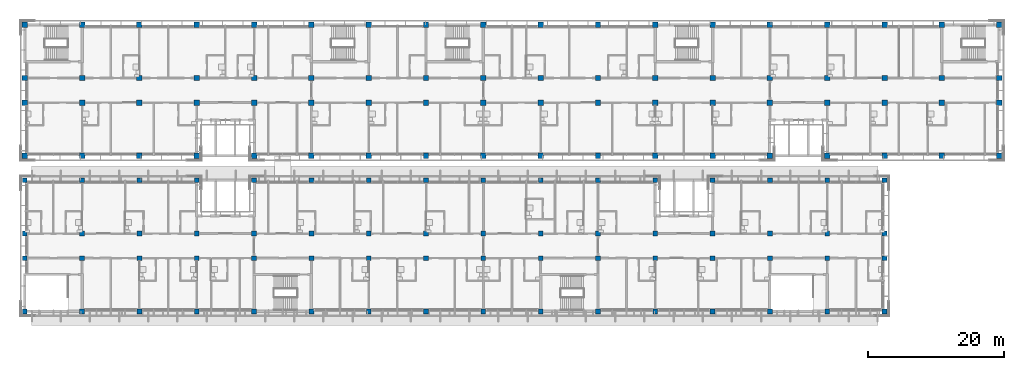
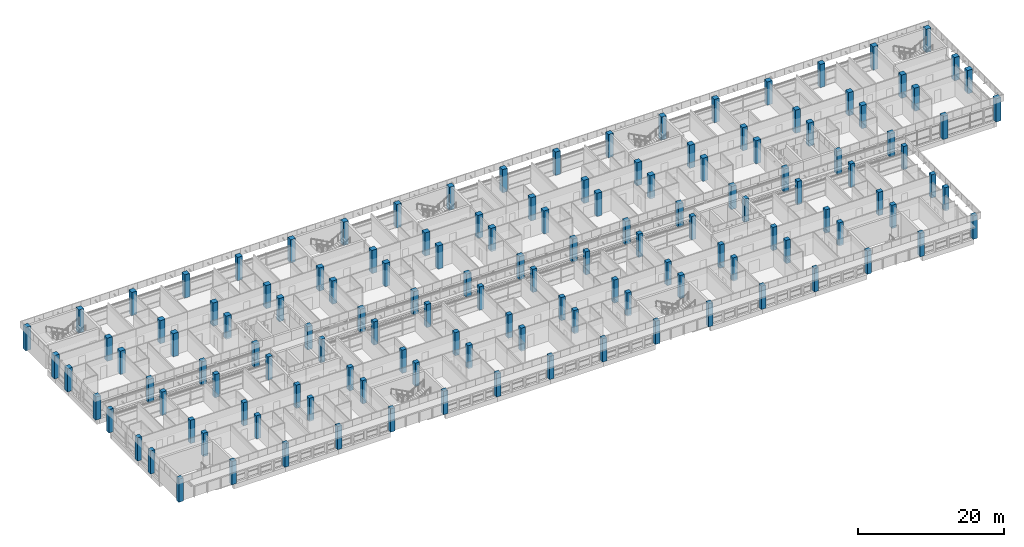
# One storey, part 1 of 71: 136 columns.
"""IFC4 building model written with IfcOpenShell, lengths in metres."""

import ifcopenshell
import ifcopenshell.guid

model = None  # the IFC model being written
_history = None  # IfcOwnerHistory: only IFC2X3 demands one
_inside = {}  # id of a spatial element -> (the spatial element, [elements in it])
_under = {}  # id of a project, library or spatial element -> (it, [spatial elements below it])
_declared = {}  # id of a project -> (the project, [libraries it declares])
_typed = {}  # id of a type object -> (the type object, [elements of that type])
_made_of = {}  # id of a material, layer set ... -> (it, [elements and type objects made of it])


def new_model(schema):
    """Start an empty IFC model of exactly this schema.

    Asked for "IFC4X3", IfcOpenShell would pick the latest addendum, in which some entities
    have other attributes; the version numbers below select the first issue.
    IFC2X3 requires an IfcOwnerHistory on every rooted entity: one is made here for all.
    """
    global model, _history
    if schema == "IFC4X3":
        model = ifcopenshell.file(schema_version=(4, 3, 0, 0))
    else:
        model = ifcopenshell.file(schema=schema)
    _inside.clear()
    _under.clear()
    _declared.clear()
    _typed.clear()
    _made_of.clear()
    _history = None
    if model.schema == "IFC2X3":
        org = make("IfcOrganization", Name="unknown")
        user = make(
            "IfcPersonAndOrganization",
            ThePerson=make("IfcPerson", FamilyName="unknown"),
            TheOrganization=org,
        )
        app = make(
            "IfcApplication",
            ApplicationDeveloper=org,
            Version="unknown",
            ApplicationFullName="unknown",
            ApplicationIdentifier="unknown",
        )
        _history = make(
            "IfcOwnerHistory",
            OwningUser=user,
            OwningApplication=app,
            ChangeAction="ADDED",
            CreationDate=0,
        )
    return model


def make(cls, **values):
    """One entity of the class cls with the attributes given. An attribute that is None is left unset."""
    return model.create_entity(
        cls, **{name: value for name, value in values.items() if value is not None}
    )


def rooted(cls, **values):
    """An entity with a GlobalId (a new one), such as an element, a storey or a relation."""
    return make(cls, GlobalId=ifcopenshell.guid.new(), OwnerHistory=_history, **values)


def si_unit(unit_type, name, prefix=None):
    """IfcSIUnit, for example si_unit("LENGTHUNIT", "METRE", prefix="MILLI")."""
    return make("IfcSIUnit", UnitType=unit_type, Prefix=prefix, Name=name)


def assignment(units):
    """IfcUnitAssignment: the units of a project."""
    return None if units is None else make("IfcUnitAssignment", Units=units)


def point(xyz):
    """IfcCartesianPoint."""
    return None if xyz is None else make("IfcCartesianPoint", Coordinates=xyz)


def direction(xyz):
    """IfcDirection."""
    return None if xyz is None else make("IfcDirection", DirectionRatios=xyz)


def frame(location, z_axis=None, x_axis=None):
    """IfcAxis2Placement3D, a coordinate frame: its origin and axes. An axis left out is left unset."""
    return make(
        "IfcAxis2Placement3D",
        Location=point(location),
        Axis=direction(z_axis),
        RefDirection=direction(x_axis),
    )


def frame_2d(location, x_axis=None):
    """IfcAxis2Placement2D, a coordinate frame in the plane: its origin and x axis."""
    return make(
        "IfcAxis2Placement2D", Location=point(location), RefDirection=direction(x_axis)
    )


def origin():
    """The frame at (0, 0, 0) with its axes left unset."""
    return frame((0.0, 0.0, 0.0))


def origin_2d():
    """The frame at (0, 0) in the plane with its x axis left unset."""
    return frame_2d((0.0, 0.0))


def place(relative_to, where):
    """IfcLocalPlacement: puts the frame where relative to a parent placement (None: the world)."""
    return make(
        "IfcLocalPlacement", PlacementRelTo=relative_to, RelativePlacement=where
    )


def context(
    kind, dimensions, precision=None, world=None, true_north=None, identifier=None
):
    """IfcGeometricRepresentationContext, for example the 3D "Model" context."""
    return make(
        "IfcGeometricRepresentationContext",
        ContextIdentifier=identifier,
        ContextType=kind,
        CoordinateSpaceDimension=dimensions,
        Precision=precision,
        WorldCoordinateSystem=world,
        TrueNorth=true_north,
    )


def subcontext(parent, identifier, kind, view, scale=None):
    """IfcGeometricRepresentationSubContext, for example "Body" below "Model"."""
    return make(
        "IfcGeometricRepresentationSubContext",
        ContextIdentifier=identifier,
        ContextType=kind,
        ParentContext=parent,
        TargetScale=scale,
        TargetView=view,
    )


def project(units=None, contexts=None):
    """IfcProject with its units and contexts."""
    return rooted(
        "IfcProject",
        Name="project",
        RepresentationContexts=contexts,
        UnitsInContext=assignment(units),
    )


def spatial(cls, under=None, at=None, **own):
    """A site, building, storey or space (cls), placed at a placement, below another one or the project."""
    s = rooted(cls, ObjectPlacement=at, **own)
    if under is not None:
        _under.setdefault(under.id(), (under, []))[1].append(s)
    return s


def profile(cls, at=None, kind="AREA", **sizes):
    """A parametric profile (cls). Its sizes go by their IFC names, for example OverallWidth=200.0."""
    return make(cls, ProfileType=kind, Position=at, **sizes)


def rectangle(**sizes):
    """IfcRectangleProfileDef."""
    return profile("IfcRectangleProfileDef", **sizes)


def extrude(swept, where, along, depth):
    """IfcExtrudedAreaSolid: the profile swept, set in the frame where, extruded along a direction by depth."""
    return make(
        "IfcExtrudedAreaSolid",
        SweptArea=swept,
        Position=where,
        ExtrudedDirection=direction(along),
        Depth=depth,
    )


def shape(context_of_items, identifier, shape_type, items):
    """IfcShapeRepresentation: the items that make up one representation, for example the "Body"."""
    return make(
        "IfcShapeRepresentation",
        ContextOfItems=context_of_items,
        RepresentationIdentifier=identifier,
        RepresentationType=shape_type,
        Items=items,
    )


def material(Name=None, Category=None):
    """IfcMaterial."""
    return make("IfcMaterial", Name=Name, Category=Category)


def material_profile(
    of_material, cross_section, Name=None, Category=None, Priority=None
):
    """IfcMaterialProfile: a cross section and its material."""
    return make(
        "IfcMaterialProfile",
        Name=Name,
        Material=of_material,
        Profile=cross_section,
        Priority=Priority,
        Category=Category,
    )


def profile_set(profiles, Name=None, composite=None):
    """IfcMaterialProfileSet."""
    return make(
        "IfcMaterialProfileSet",
        Name=Name,
        MaterialProfiles=profiles,
        CompositeProfile=composite,
    )


def made_of(thing, what):
    """Note that an element or type object is made of a material, layer set ...; save() writes the relation."""
    if what is not None:
        _made_of.setdefault(what.id(), (what, []))[1].append(thing)
    return thing


def type_object(cls, material=None, **own):
    """A type object (cls), such as IfcWallType, which elements share."""
    return made_of(rooted(cls, **own), material)


def element(
    cls,
    number,
    at=None,
    inside=None,
    cuts=None,
    type_object=None,
    material=None,
    context=None,
    identifier="Body",
    shape_type=None,
    held_by="IfcProductDefinitionShape",
    body=None,
    shapes=None,
    **own,
):
    """One element of the class cls, such as IfcWall. Its Tag is "e" and its number.

    at: its placement. inside: the storey or other place that contains it. cuts: it is an
    opening in that element (IfcRelVoidsElement). A single representation is given by context,
    identifier, shape_type and body (its items); several are given by shapes. held_by: the class
    of the entity that holds the representations. save() writes the other relations.
    """
    e = rooted(cls, Tag="e%d" % number, ObjectPlacement=at, **own)
    if body is not None:
        shapes = [shape(context, identifier, shape_type, body)]
    if shapes is not None:
        e.Representation = make(held_by, Representations=shapes)
    if inside is not None:
        _inside.setdefault(inside.id(), (inside, []))[1].append(e)
    if cuts is not None:
        rooted(
            "IfcRelVoidsElement", RelatingBuildingElement=cuts, RelatedOpeningElement=e
        )
    if type_object is not None:
        _typed.setdefault(type_object.id(), (type_object, []))[1].append(e)
    return made_of(e, material)


def aggregate(whole, parts):
    """IfcRelAggregates: a whole, such as a stair, and the parts it consists of."""
    return rooted("IfcRelAggregates", RelatingObject=whole, RelatedObjects=parts)


def save(model, path):
    """Write the relations noted so far, then the file.

    IfcRelAggregates (storeys below a building ...), IfcRelContainedInSpatialStructure (elements
    in a storey), IfcRelDefinesByType, IfcRelAssociatesMaterial and IfcRelDeclares: one each for
    every whole, place, type object, material and project.
    """
    for whole, parts in _under.values():
        aggregate(whole, parts)
    for where, things in _inside.values():
        rooted(
            "IfcRelContainedInSpatialStructure",
            RelatedElements=things,
            RelatingStructure=where,
        )
    for kind, things in _typed.values():
        rooted("IfcRelDefinesByType", RelatedObjects=things, RelatingType=kind)
    for what, things in _made_of.values():
        rooted("IfcRelAssociatesMaterial", RelatedObjects=things, RelatingMaterial=what)
    for by, libraries in _declared.values():
        rooted("IfcRelDeclares", RelatingContext=by, RelatedDefinitions=libraries)
    model.write(path)


model = new_model("IFC4")

# Units and contexts
model_context = context("Model", 3, precision=1e-05, world=origin(), true_north=direction((0.0, 1.0)))
body_context = subcontext(model_context, "Body", "Model", "MODEL_VIEW")
ifc_project = project(units=[si_unit("LENGTHUNIT", "METRE"), si_unit("AREAUNIT", "SQUARE_METRE"), si_unit("VOLUMEUNIT", "CUBIC_METRE"), si_unit("PLANEANGLEUNIT", "RADIAN"), si_unit("MASSUNIT", "GRAM", prefix="KILO")], contexts=[model_context])

# Site, building, storey
site_placement = place(None, origin())
site = spatial("IfcSite", under=ifc_project, at=site_placement, CompositionType="ELEMENT")
building_placement = place(site_placement, origin())
building = spatial("IfcBuilding", under=site, at=building_placement, Name="Bougainvillea Quay General Hospital", CompositionType="ELEMENT")
storey_placement = place(building_placement, frame((0.0, 0.0, 24.89990234375)))
storey = spatial("IfcBuildingStorey", under=building, at=storey_placement, Name="L05", CompositionType="ELEMENT", Elevation=24.89990234375)

# Columns
ifc_material = material(Name="Concrete C40", Category="concrete")
ifc_material_profile_1 = material_profile(ifc_material, rectangle(XDim=0.699951171875, YDim=0.699951171875, at=origin_2d()))
ifc_profile_set_1 = profile_set([ifc_material_profile_1], Name="Concrete C40")
column_type_1 = type_object("IfcColumnType", Name="RC COL 700x700 C40", PredefinedType="COLUMN", material=ifc_profile_set_1)
for number, where, z_axis, x_axis, name in (
    (1, (42.0, 117.60009765625, 0.0), (0.0, 0.0, 1.0), (1.0, 0.0, 0.0), "Column C-V4-000 L05"),
    (2, (42.0, 125.39990234375, 0.0), (0.0, 0.0, 1.0), (1.0, 0.0, 0.0), "Column C-V4-001 L05"),
    (3, (42.0, 129.0, 0.0), (0.0, 0.0, 1.0), (1.0, 0.0, 0.0), "Column C-V4-002 L05"),
    (4, (42.0, 136.800048828125, 0.0), (0.0, 0.0, 1.0), (1.0, 0.0, 0.0), "Column C-V4-003 L05"),
    (5, (50.39990234375, 117.60009765625, 0.0), (0.0, 0.0, 1.0), (1.0, 0.0, 0.0), "Column C-V4-010 L05"),
    (6, (50.39990234375, 125.39990234375, 0.0), (0.0, 0.0, 1.0), (1.0, 0.0, 0.0), "Column C-V4-011 L05"),
    (7, (50.39990234375, 129.0, 0.0), (0.0, 0.0, 1.0), (1.0, 0.0, 0.0), "Column C-V4-012 L05"),
    (8, (50.39990234375, 136.800048828125, 0.0), (0.0, 0.0, 1.0), (1.0, 0.0, 0.0), "Column C-V4-013 L05"),
    (9, (58.800048828125, 117.60009765625, 0.0), (0.0, 0.0, 1.0), (1.0, 0.0, 0.0), "Column C-V4-020 L05"),
    (10, (58.800048828125, 125.39990234375, 0.0), (0.0, 0.0, 1.0), (1.0, 0.0, 0.0), "Column C-V4-021 L05"),
    (11, (58.800048828125, 129.0, 0.0), (0.0, 0.0, 1.0), (1.0, 0.0, 0.0), "Column C-V4-022 L05"),
    (12, (58.800048828125, 136.800048828125, 0.0), (0.0, 0.0, 1.0), (1.0, 0.0, 0.0), "Column C-V4-023 L05"),
    (13, (67.199951171875, 117.60009765625, 0.0), (0.0, 0.0, 1.0), (1.0, 0.0, 0.0), "Column C-V4-030 L05"),
    (14, (67.199951171875, 125.39990234375, 0.0), (0.0, 0.0, 1.0), (1.0, 0.0, 0.0), "Column C-V4-031 L05"),
    (15, (67.199951171875, 129.0, 0.0), (0.0, 0.0, 1.0), (1.0, 0.0, 0.0), "Column C-V4-032 L05"),
    (16, (67.199951171875, 136.800048828125, 0.0), (0.0, 0.0, 1.0), (1.0, 0.0, 0.0), "Column C-V4-033 L05"),
    (17, (75.60009765625, 117.60009765625, 0.0), (0.0, 0.0, 1.0), (1.0, 0.0, 0.0), "Column C-V4-040 L05"),
    (18, (75.60009765625, 125.39990234375, 0.0), (0.0, 0.0, 1.0), (1.0, 0.0, 0.0), "Column C-V4-041 L05"),
    (19, (75.60009765625, 129.0, 0.0), (0.0, 0.0, 1.0), (1.0, 0.0, 0.0), "Column C-V4-042 L05"),
    (20, (75.60009765625, 136.800048828125, 0.0), (0.0, 0.0, 1.0), (1.0, 0.0, 0.0), "Column C-V4-043 L05"),
    (21, (84.0, 117.60009765625, 0.0), (0.0, 0.0, 1.0), (1.0, 0.0, 0.0), "Column C-V4-050 L05"),
    (22, (84.0, 125.39990234375, 0.0), (0.0, 0.0, 1.0), (1.0, 0.0, 0.0), "Column C-V4-051 L05"),
    (23, (84.0, 129.0, 0.0), (0.0, 0.0, 1.0), (1.0, 0.0, 0.0), "Column C-V4-052 L05"),
    (24, (84.0, 136.800048828125, 0.0), (0.0, 0.0, 1.0), (1.0, 0.0, 0.0), "Column C-V4-053 L05"),
    (25, (92.39990234375, 117.60009765625, 0.0), (0.0, 0.0, 1.0), (1.0, 0.0, 0.0), "Column C-V4-060 L05"),
    (26, (92.39990234375, 125.39990234375, 0.0), (0.0, 0.0, 1.0), (1.0, 0.0, 0.0), "Column C-V4-061 L05"),
    (27, (92.39990234375, 129.0, 0.0), (0.0, 0.0, 1.0), (1.0, 0.0, 0.0), "Column C-V4-062 L05"),
    (28, (92.39990234375, 136.800048828125, 0.0), (0.0, 0.0, 1.0), (1.0, 0.0, 0.0), "Column C-V4-063 L05"),
    (29, (100.800048828125, 117.60009765625, 0.0), (0.0, 0.0, 1.0), (1.0, 0.0, 0.0), "Column C-V4-070 L05"),
    (30, (100.800048828125, 125.39990234375, 0.0), (0.0, 0.0, 1.0), (1.0, 0.0, 0.0), "Column C-V4-071 L05"),
    (31, (100.800048828125, 129.0, 0.0), (0.0, 0.0, 1.0), (1.0, 0.0, 0.0), "Column C-V4-072 L05"),
    (32, (100.800048828125, 136.800048828125, 0.0), (0.0, 0.0, 1.0), (1.0, 0.0, 0.0), "Column C-V4-073 L05"),
    (33, (109.199951171875, 117.60009765625, 0.0), (0.0, 0.0, 1.0), (1.0, 0.0, 0.0), "Column C-V4-080 L05"),
    (34, (109.199951171875, 125.39990234375, 0.0), (0.0, 0.0, 1.0), (1.0, 0.0, 0.0), "Column C-V4-081 L05"),
    (35, (109.199951171875, 129.0, 0.0), (0.0, 0.0, 1.0), (1.0, 0.0, 0.0), "Column C-V4-082 L05"),
    (36, (109.199951171875, 136.800048828125, 0.0), (0.0, 0.0, 1.0), (1.0, 0.0, 0.0), "Column C-V4-083 L05"),
    (37, (117.60009765625, 117.60009765625, 0.0), (0.0, 0.0, 1.0), (1.0, 0.0, 0.0), "Column C-V4-090 L05"),
    (38, (117.60009765625, 125.39990234375, 0.0), (0.0, 0.0, 1.0), (1.0, 0.0, 0.0), "Column C-V4-091 L05"),
    (39, (117.60009765625, 129.0, 0.0), (0.0, 0.0, 1.0), (1.0, 0.0, 0.0), "Column C-V4-092 L05"),
    (40, (117.60009765625, 136.800048828125, 0.0), (0.0, 0.0, 1.0), (1.0, 0.0, 0.0), "Column C-V4-093 L05"),
    (41, (126.0, 117.60009765625, 0.0), (0.0, 0.0, 1.0), (1.0, 0.0, 0.0), "Column C-V4-100 L05"),
    (42, (126.0, 125.39990234375, 0.0), (0.0, 0.0, 1.0), (1.0, 0.0, 0.0), "Column C-V4-101 L05"),
    (43, (126.0, 129.0, 0.0), (0.0, 0.0, 1.0), (1.0, 0.0, 0.0), "Column C-V4-102 L05"),
    (44, (126.0, 136.800048828125, 0.0), (0.0, 0.0, 1.0), (1.0, 0.0, 0.0), "Column C-V4-103 L05"),
    (45, (134.39990234375, 117.60009765625, 0.0), (0.0, 0.0, 1.0), (1.0, 0.0, 0.0), "Column C-V4-110 L05"),
    (46, (134.39990234375, 125.39990234375, 0.0), (0.0, 0.0, 1.0), (1.0, 0.0, 0.0), "Column C-V4-111 L05"),
    (47, (134.39990234375, 129.0, 0.0), (0.0, 0.0, 1.0), (1.0, 0.0, 0.0), "Column C-V4-112 L05"),
    (48, (134.39990234375, 136.800048828125, 0.0), (0.0, 0.0, 1.0), (1.0, 0.0, 0.0), "Column C-V4-113 L05"),
    (49, (142.800048828125, 117.60009765625, 0.0), (0.0, 0.0, 1.0), (1.0, 0.0, 0.0), "Column C-V4-120 L05"),
    (50, (142.800048828125, 125.39990234375, 0.0), (0.0, 0.0, 1.0), (1.0, 0.0, 0.0), "Column C-V4-121 L05"),
    (51, (142.800048828125, 129.0, 0.0), (0.0, 0.0, 1.0), (1.0, 0.0, 0.0), "Column C-V4-122 L05"),
    (52, (142.800048828125, 136.800048828125, 0.0), (0.0, 0.0, 1.0), (1.0, 0.0, 0.0), "Column C-V4-123 L05"),
    (53, (151.199951171875, 117.60009765625, 0.0), (0.0, 0.0, 1.0), (1.0, 0.0, 0.0), "Column C-V4-130 L05"),
    (54, (151.199951171875, 125.39990234375, 0.0), (0.0, 0.0, 1.0), (1.0, 0.0, 0.0), "Column C-V4-131 L05"),
    (55, (151.199951171875, 129.0, 0.0), (0.0, 0.0, 1.0), (1.0, 0.0, 0.0), "Column C-V4-132 L05"),
    (56, (151.199951171875, 136.800048828125, 0.0), (0.0, 0.0, 1.0), (1.0, 0.0, 0.0), "Column C-V4-133 L05"),
    (57, (159.60009765625, 117.60009765625, 0.0), (0.0, 0.0, 1.0), (1.0, 0.0, 0.0), "Column C-V4-140 L05"),
    (58, (159.60009765625, 125.39990234375, 0.0), (0.0, 0.0, 1.0), (1.0, 0.0, 0.0), "Column C-V4-141 L05"),
    (59, (159.60009765625, 129.0, 0.0), (0.0, 0.0, 1.0), (1.0, 0.0, 0.0), "Column C-V4-142 L05"),
    (60, (159.60009765625, 136.800048828125, 0.0), (0.0, 0.0, 1.0), (1.0, 0.0, 0.0), "Column C-V4-143 L05"),
    (61, (168.0, 117.60009765625, 0.0), (0.0, 0.0, 1.0), (1.0, 0.0, 0.0), "Column C-V4-150 L05"),
    (62, (168.0, 125.39990234375, 0.0), (0.0, 0.0, 1.0), (1.0, 0.0, 0.0), "Column C-V4-151 L05"),
    (63, (168.0, 129.0, 0.0), (0.0, 0.0, 1.0), (1.0, 0.0, 0.0), "Column C-V4-152 L05"),
    (64, (168.0, 136.800048828125, 0.0), (0.0, 0.0, 1.0), (1.0, 0.0, 0.0), "Column C-V4-153 L05"),
):
    element("IfcColumn", number, at=place(storey_placement, frame(where, z_axis=z_axis, x_axis=x_axis)), inside=storey, type_object=column_type_1, Name=name, PredefinedType="COLUMN", context=body_context, shape_type="SweptSolid", body=[
        extrude(rectangle(XDim=0.699951171875, YDim=0.699951171875, at=origin_2d()), origin(), (0.0, 0.0, 1.0), 3.900146484375),
    ])
ifc_material_profile_2 = material_profile(ifc_material, rectangle(XDim=0.800048828125, YDim=0.800048828125, at=origin_2d()))
ifc_profile_set_2 = profile_set([ifc_material_profile_2], Name="Concrete C40")
column_type_2 = type_object("IfcColumnType", Name="RC COL 800x800 C40", PredefinedType="COLUMN", material=ifc_profile_set_2)
for number, where, z_axis, x_axis, name in (
    (65, (42.0, 140.39990234375, 0.0), (0.0, 0.0, 1.0), (1.0, 0.0, 0.0), "Column C-V4-004 L05"),
    (66, (42.0, 148.199951171875, 0.0), (0.0, 0.0, 1.0), (1.0, 0.0, 0.0), "Column C-V4-005 L05"),
    (67, (42.0, 151.800048828125, 0.0), (0.0, 0.0, 1.0), (1.0, 0.0, 0.0), "Column C-V4-006 L05"),
    (68, (42.0, 159.60009765625, 0.0), (0.0, 0.0, 1.0), (1.0, 0.0, 0.0), "Column C-V4-007 L05"),
    (69, (50.39990234375, 140.39990234375, 0.0), (0.0, 0.0, 1.0), (1.0, 0.0, 0.0), "Column C-V4-014 L05"),
    (70, (50.39990234375, 148.199951171875, 0.0), (0.0, 0.0, 1.0), (1.0, 0.0, 0.0), "Column C-V4-015 L05"),
    (71, (50.39990234375, 151.800048828125, 0.0), (0.0, 0.0, 1.0), (1.0, 0.0, 0.0), "Column C-V4-016 L05"),
    (72, (50.39990234375, 159.60009765625, 0.0), (0.0, 0.0, 1.0), (1.0, 0.0, 0.0), "Column C-V4-017 L05"),
    (73, (58.800048828125, 140.39990234375, 0.0), (0.0, 0.0, 1.0), (1.0, 0.0, 0.0), "Column C-V4-024 L05"),
    (74, (58.800048828125, 148.199951171875, 0.0), (0.0, 0.0, 1.0), (1.0, 0.0, 0.0), "Column C-V4-025 L05"),
    (75, (58.800048828125, 151.800048828125, 0.0), (0.0, 0.0, 1.0), (1.0, 0.0, 0.0), "Column C-V4-026 L05"),
    (76, (58.800048828125, 159.60009765625, 0.0), (0.0, 0.0, 1.0), (1.0, 0.0, 0.0), "Column C-V4-027 L05"),
    (77, (67.199951171875, 140.39990234375, 0.0), (0.0, 0.0, 1.0), (1.0, 0.0, 0.0), "Column C-V4-034 L05"),
    (78, (67.199951171875, 148.199951171875, 0.0), (0.0, 0.0, 1.0), (1.0, 0.0, 0.0), "Column C-V4-035 L05"),
    (79, (67.199951171875, 151.800048828125, 0.0), (0.0, 0.0, 1.0), (1.0, 0.0, 0.0), "Column C-V4-036 L05"),
    (80, (67.199951171875, 159.60009765625, 0.0), (0.0, 0.0, 1.0), (1.0, 0.0, 0.0), "Column C-V4-037 L05"),
    (81, (75.60009765625, 140.39990234375, 0.0), (0.0, 0.0, 1.0), (1.0, 0.0, 0.0), "Column C-V4-044 L05"),
    (82, (75.60009765625, 148.199951171875, 0.0), (0.0, 0.0, 1.0), (1.0, 0.0, 0.0), "Column C-V4-045 L05"),
    (83, (75.60009765625, 151.800048828125, 0.0), (0.0, 0.0, 1.0), (1.0, 0.0, 0.0), "Column C-V4-046 L05"),
    (84, (75.60009765625, 159.60009765625, 0.0), (0.0, 0.0, 1.0), (1.0, 0.0, 0.0), "Column C-V4-047 L05"),
    (85, (84.0, 140.39990234375, 0.0), (0.0, 0.0, 1.0), (1.0, 0.0, 0.0), "Column C-V4-054 L05"),
    (86, (84.0, 148.199951171875, 0.0), (0.0, 0.0, 1.0), (1.0, 0.0, 0.0), "Column C-V4-055 L05"),
    (87, (84.0, 151.800048828125, 0.0), (0.0, 0.0, 1.0), (1.0, 0.0, 0.0), "Column C-V4-056 L05"),
    (88, (84.0, 159.60009765625, 0.0), (0.0, 0.0, 1.0), (1.0, 0.0, 0.0), "Column C-V4-057 L05"),
    (89, (92.39990234375, 140.39990234375, 0.0), (0.0, 0.0, 1.0), (1.0, 0.0, 0.0), "Column C-V4-064 L05"),
    (90, (92.39990234375, 148.199951171875, 0.0), (0.0, 0.0, 1.0), (1.0, 0.0, 0.0), "Column C-V4-065 L05"),
    (91, (92.39990234375, 151.800048828125, 0.0), (0.0, 0.0, 1.0), (1.0, 0.0, 0.0), "Column C-V4-066 L05"),
    (92, (92.39990234375, 159.60009765625, 0.0), (0.0, 0.0, 1.0), (1.0, 0.0, 0.0), "Column C-V4-067 L05"),
    (93, (100.800048828125, 140.39990234375, 0.0), (0.0, 0.0, 1.0), (1.0, 0.0, 0.0), "Column C-V4-074 L05"),
    (94, (100.800048828125, 148.199951171875, 0.0), (0.0, 0.0, 1.0), (1.0, 0.0, 0.0), "Column C-V4-075 L05"),
    (95, (100.800048828125, 151.800048828125, 0.0), (0.0, 0.0, 1.0), (1.0, 0.0, 0.0), "Column C-V4-076 L05"),
    (96, (100.800048828125, 159.60009765625, 0.0), (0.0, 0.0, 1.0), (1.0, 0.0, 0.0), "Column C-V4-077 L05"),
    (97, (109.199951171875, 140.39990234375, 0.0), (0.0, 0.0, 1.0), (1.0, 0.0, 0.0), "Column C-V4-084 L05"),
    (98, (109.199951171875, 148.199951171875, 0.0), (0.0, 0.0, 1.0), (1.0, 0.0, 0.0), "Column C-V4-085 L05"),
    (99, (109.199951171875, 151.800048828125, 0.0), (0.0, 0.0, 1.0), (1.0, 0.0, 0.0), "Column C-V4-086 L05"),
    (100, (109.199951171875, 159.60009765625, 0.0), (0.0, 0.0, 1.0), (1.0, 0.0, 0.0), "Column C-V4-087 L05"),
    (101, (117.60009765625, 140.39990234375, 0.0), (0.0, 0.0, 1.0), (1.0, 0.0, 0.0), "Column C-V4-094 L05"),
    (102, (117.60009765625, 148.199951171875, 0.0), (0.0, 0.0, 1.0), (1.0, 0.0, 0.0), "Column C-V4-095 L05"),
    (103, (117.60009765625, 151.800048828125, 0.0), (0.0, 0.0, 1.0), (1.0, 0.0, 0.0), "Column C-V4-096 L05"),
    (104, (117.60009765625, 159.60009765625, 0.0), (0.0, 0.0, 1.0), (1.0, 0.0, 0.0), "Column C-V4-097 L05"),
    (105, (126.0, 140.39990234375, 0.0), (0.0, 0.0, 1.0), (1.0, 0.0, 0.0), "Column C-V4-104 L05"),
    (106, (126.0, 148.199951171875, 0.0), (0.0, 0.0, 1.0), (1.0, 0.0, 0.0), "Column C-V4-105 L05"),
    (107, (126.0, 151.800048828125, 0.0), (0.0, 0.0, 1.0), (1.0, 0.0, 0.0), "Column C-V4-106 L05"),
    (108, (126.0, 159.60009765625, 0.0), (0.0, 0.0, 1.0), (1.0, 0.0, 0.0), "Column C-V4-107 L05"),
    (109, (134.39990234375, 140.39990234375, 0.0), (0.0, 0.0, 1.0), (1.0, 0.0, 0.0), "Column C-V4-114 L05"),
    (110, (134.39990234375, 148.199951171875, 0.0), (0.0, 0.0, 1.0), (1.0, 0.0, 0.0), "Column C-V4-115 L05"),
    (111, (134.39990234375, 151.800048828125, 0.0), (0.0, 0.0, 1.0), (1.0, 0.0, 0.0), "Column C-V4-116 L05"),
    (112, (134.39990234375, 159.60009765625, 0.0), (0.0, 0.0, 1.0), (1.0, 0.0, 0.0), "Column C-V4-117 L05"),
    (113, (142.800048828125, 140.39990234375, 0.0), (0.0, 0.0, 1.0), (1.0, 0.0, 0.0), "Column C-V4-124 L05"),
    (114, (142.800048828125, 148.199951171875, 0.0), (0.0, 0.0, 1.0), (1.0, 0.0, 0.0), "Column C-V4-125 L05"),
    (115, (142.800048828125, 151.800048828125, 0.0), (0.0, 0.0, 1.0), (1.0, 0.0, 0.0), "Column C-V4-126 L05"),
    (116, (142.800048828125, 159.60009765625, 0.0), (0.0, 0.0, 1.0), (1.0, 0.0, 0.0), "Column C-V4-127 L05"),
    (117, (151.199951171875, 140.39990234375, 0.0), (0.0, 0.0, 1.0), (1.0, 0.0, 0.0), "Column C-V4-134 L05"),
    (118, (151.199951171875, 148.199951171875, 0.0), (0.0, 0.0, 1.0), (1.0, 0.0, 0.0), "Column C-V4-135 L05"),
    (119, (151.199951171875, 151.800048828125, 0.0), (0.0, 0.0, 1.0), (1.0, 0.0, 0.0), "Column C-V4-136 L05"),
    (120, (151.199951171875, 159.60009765625, 0.0), (0.0, 0.0, 1.0), (1.0, 0.0, 0.0), "Column C-V4-137 L05"),
    (121, (159.60009765625, 140.39990234375, 0.0), (0.0, 0.0, 1.0), (1.0, 0.0, 0.0), "Column C-V4-144 L05"),
    (122, (159.60009765625, 148.199951171875, 0.0), (0.0, 0.0, 1.0), (1.0, 0.0, 0.0), "Column C-V4-145 L05"),
    (123, (159.60009765625, 151.800048828125, 0.0), (0.0, 0.0, 1.0), (1.0, 0.0, 0.0), "Column C-V4-146 L05"),
    (124, (159.60009765625, 159.60009765625, 0.0), (0.0, 0.0, 1.0), (1.0, 0.0, 0.0), "Column C-V4-147 L05"),
    (125, (168.0, 140.39990234375, 0.0), (0.0, 0.0, 1.0), (1.0, 0.0, 0.0), "Column C-V4-154 L05"),
    (126, (168.0, 148.199951171875, 0.0), (0.0, 0.0, 1.0), (1.0, 0.0, 0.0), "Column C-V4-155 L05"),
    (127, (168.0, 151.800048828125, 0.0), (0.0, 0.0, 1.0), (1.0, 0.0, 0.0), "Column C-V4-156 L05"),
    (128, (168.0, 159.60009765625, 0.0), (0.0, 0.0, 1.0), (1.0, 0.0, 0.0), "Column C-V4-157 L05"),
    (129, (176.39990234375, 140.39990234375, 0.0), (0.0, 0.0, 1.0), (1.0, 0.0, 0.0), "Column C-V4-164 L05"),
    (130, (176.39990234375, 148.199951171875, 0.0), (0.0, 0.0, 1.0), (1.0, 0.0, 0.0), "Column C-V4-165 L05"),
    (131, (176.39990234375, 151.800048828125, 0.0), (0.0, 0.0, 1.0), (1.0, 0.0, 0.0), "Column C-V4-166 L05"),
    (132, (176.39990234375, 159.60009765625, 0.0), (0.0, 0.0, 1.0), (1.0, 0.0, 0.0), "Column C-V4-167 L05"),
    (133, (184.800048828125, 140.39990234375, 0.0), (0.0, 0.0, 1.0), (1.0, 0.0, 0.0), "Column C-V4-174 L05"),
    (134, (184.800048828125, 148.199951171875, 0.0), (0.0, 0.0, 1.0), (1.0, 0.0, 0.0), "Column C-V4-175 L05"),
    (135, (184.800048828125, 151.800048828125, 0.0), (0.0, 0.0, 1.0), (1.0, 0.0, 0.0), "Column C-V4-176 L05"),
    (136, (184.800048828125, 159.60009765625, 0.0), (0.0, 0.0, 1.0), (1.0, 0.0, 0.0), "Column C-V4-177 L05"),
):
    element("IfcColumn", number, at=place(storey_placement, frame(where, z_axis=z_axis, x_axis=x_axis)), inside=storey, type_object=column_type_2, Name=name, PredefinedType="COLUMN", context=body_context, shape_type="SweptSolid", body=[
        extrude(rectangle(XDim=0.800048828125, YDim=0.800048828125, at=origin_2d()), origin(), (0.0, 0.0, 1.0), 3.900146484375),
    ])

save(model, "model.ifc")
